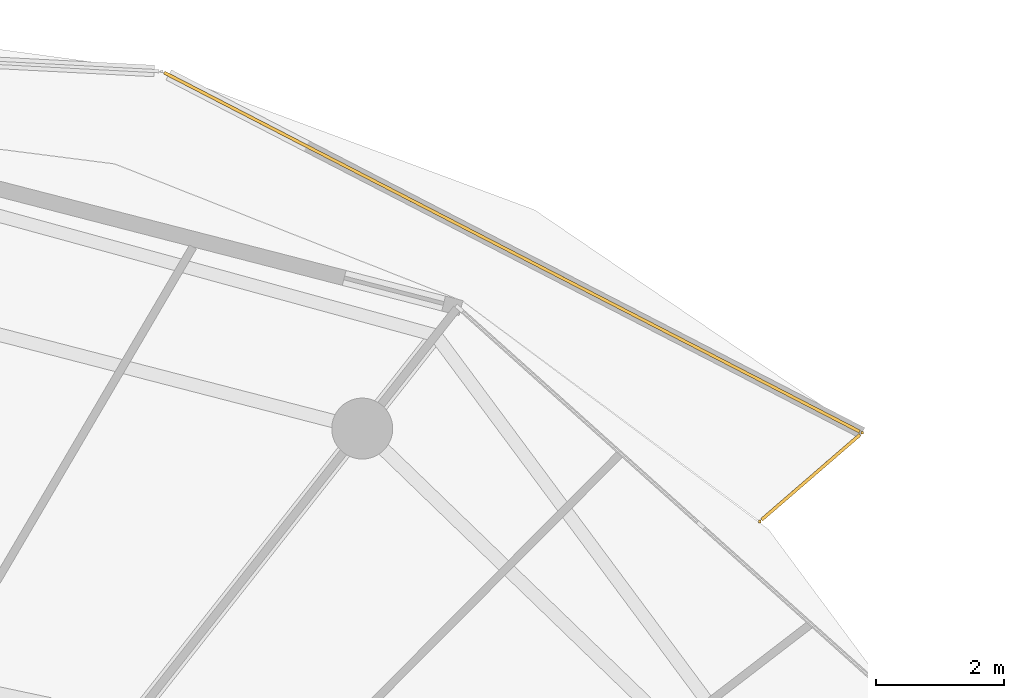
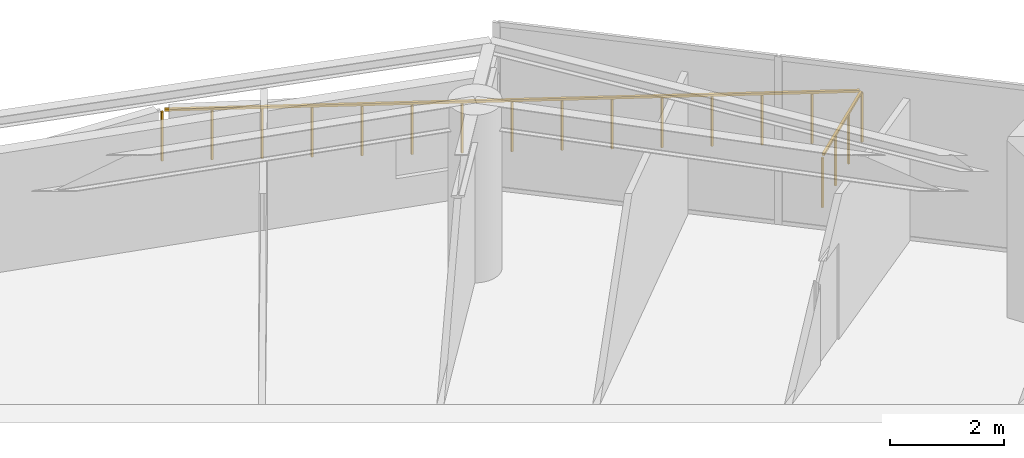
# One storey, part 31 of 31: 2 railings.
"""IFC4 building model written with IfcOpenShell, lengths in metres."""

from ifc_helpers import new_model, si_unit, direction, frame, origin, origin_2d, place, context, subcontext, project, spatial, rectangle, extrude, material, type_object, element, save


model = new_model("IFC4")

# Units and contexts
model_context = context("Model", 3, precision=1e-05, world=origin(), true_north=direction((0.0, 1.0)))
body_context = subcontext(model_context, "Body", "Model", "MODEL_VIEW")
ifc_project = project(units=[si_unit("LENGTHUNIT", "METRE"), si_unit("AREAUNIT", "SQUARE_METRE"), si_unit("VOLUMEUNIT", "CUBIC_METRE"), si_unit("PLANEANGLEUNIT", "RADIAN"), si_unit("MASSUNIT", "GRAM", prefix="KILO")], contexts=[model_context])

# Site, building, storey
site_placement = place(None, origin())
site = spatial("IfcSite", under=ifc_project, at=site_placement, CompositionType="ELEMENT")
building_placement = place(site_placement, origin())
building = spatial("IfcBuilding", under=site, at=building_placement, Name="Kazma Halo Residences", CompositionType="ELEMENT")
storey_placement = place(building_placement, frame((0.0, 0.0, 240.550048828125)))
storey = spatial("IfcBuildingStorey", under=building, at=storey_placement, Name="L60", CompositionType="ELEMENT", Elevation=240.550048828125)

# Railings
ifc_material = material(Name="Aluminium AW-6063 T6 Brushed Cap Rail", Category="aluminium")
railing_type = type_object("IfcRailingType", Name="RLG-BAL-CAP-1120", PredefinedType="BALUSTRADE", material=ifc_material)
railing_1_placement = place(storey_placement, frame((71.0400390625, 61.9228515625, 0.0)))
element("IfcRailing", 1, at=railing_1_placement, inside=storey, type_object=railing_type, Name="L60 NE wave balcony guard 1", PredefinedType="BALUSTRADE", context=body_context, shape_type="SweptSolid", body=[
    extrude(rectangle(XDim=0.050048828125, YDim=0.050048828125, at=origin_2d()), frame((0.0322265625, 0.02783203125, 1.09521484375), z_axis=(0.756474494399, 0.654023194791, 0.0), x_axis=(-0.654023194791, 0.756474494399, 0.0)), (0.0, 0.0, 1.0), 2.0263671875),
    extrude(rectangle(XDim=0.0400390625, YDim=0.0400390625, at=origin_2d()), origin(), (0.0, 0.0, 1.0), 1.05810546875),
    extrude(rectangle(XDim=0.0400390625, YDim=0.0400390625, at=origin_2d()), frame((0.532470703125, 0.460205078125, 0.0)), (0.0, 0.0, 1.0), 1.05810546875),
    extrude(rectangle(XDim=0.0400390625, YDim=0.0400390625, at=origin_2d()), frame((1.064697265625, 0.920654296875, 0.0)), (0.0, 0.0, 1.0), 1.05810546875),
    extrude(rectangle(XDim=0.0400390625, YDim=0.0400390625, at=origin_2d()), frame((1.59716796875, 1.380859375, 0.0)), (0.0, 0.0, 1.0), 1.05810546875),
])
railing_2_placement = place(storey_placement, frame((72.63720703125, 63.3037109375, 0.0)))
element("IfcRailing", 2, at=railing_2_placement, inside=storey, type_object=railing_type, Name="L60 NE wave balcony guard 2", PredefinedType="BALUSTRADE", context=body_context, shape_type="SweptSolid", body=[
    extrude(rectangle(XDim=0.050048828125, YDim=0.050048828125, at=origin_2d()), frame((-0.037841796875, 0.01953125, 1.09521484375), z_axis=(-0.888587460341, 0.458707232693, 0.0), x_axis=(-0.458707232693, -0.888587460341, 0.0)), (0.0, 0.0, 1.0), 12.1953125),
    extrude(rectangle(XDim=0.0400390625, YDim=0.0400390625, at=origin_2d()), origin(), (0.0, 0.0, 1.0), 1.05810546875),
    extrude(rectangle(XDim=0.0400390625, YDim=0.0400390625, at=origin_2d()), frame((-0.779541015625, 0.40234375, 0.0)), (0.0, 0.0, 1.0), 1.05810546875),
    extrude(rectangle(XDim=0.0400390625, YDim=0.0400390625, at=origin_2d()), frame((-1.558837890625, 0.8046875, 0.0)), (0.0, 0.0, 1.0), 1.05810546875),
    extrude(rectangle(XDim=0.0400390625, YDim=0.0400390625, at=origin_2d()), frame((-2.33837890625, 1.20703125, 0.0)), (0.0, 0.0, 1.0), 1.05810546875),
    extrude(rectangle(XDim=0.0400390625, YDim=0.0400390625, at=origin_2d()), frame((-3.11767578125, 1.609375, 0.0)), (0.0, 0.0, 1.0), 1.05810546875),
    extrude(rectangle(XDim=0.0400390625, YDim=0.0400390625, at=origin_2d()), frame((-3.897216796875, 2.01171875, 0.0)), (0.0, 0.0, 1.0), 1.05810546875),
    extrude(rectangle(XDim=0.0400390625, YDim=0.0400390625, at=origin_2d()), frame((-4.676513671875, 2.4140625, 0.0)), (0.0, 0.0, 1.0), 1.05810546875),
    extrude(rectangle(XDim=0.0400390625, YDim=0.0400390625, at=origin_2d()), frame((-5.4560546875, 2.81640625, 0.0)), (0.0, 0.0, 1.0), 1.05810546875),
    extrude(rectangle(XDim=0.0400390625, YDim=0.0400390625, at=origin_2d()), frame((-6.235595703125, 3.218994140625, 0.0)), (0.0, 0.0, 1.0), 1.05810546875),
    extrude(rectangle(XDim=0.0400390625, YDim=0.0400390625, at=origin_2d()), frame((-7.014892578125, 3.621337890625, 0.0)), (0.0, 0.0, 1.0), 1.05810546875),
    extrude(rectangle(XDim=0.0400390625, YDim=0.0400390625, at=origin_2d()), frame((-7.79443359375, 4.023681640625, 0.0)), (0.0, 0.0, 1.0), 1.05810546875),
    extrude(rectangle(XDim=0.0400390625, YDim=0.0400390625, at=origin_2d()), frame((-8.57373046875, 4.426025390625, 0.0)), (0.0, 0.0, 1.0), 1.05810546875),
    extrude(rectangle(XDim=0.0400390625, YDim=0.0400390625, at=origin_2d()), frame((-9.353271484375, 4.828369140625, 0.0)), (0.0, 0.0, 1.0), 1.05810546875),
    extrude(rectangle(XDim=0.0400390625, YDim=0.0400390625, at=origin_2d()), frame((-10.132568359375, 5.230712890625, 0.0)), (0.0, 0.0, 1.0), 1.05810546875),
    extrude(rectangle(XDim=0.0400390625, YDim=0.0400390625, at=origin_2d()), frame((-10.912109375, 5.633056640625, 0.0)), (0.0, 0.0, 1.0), 1.05810546875),
])

save(model, "model.ifc")
